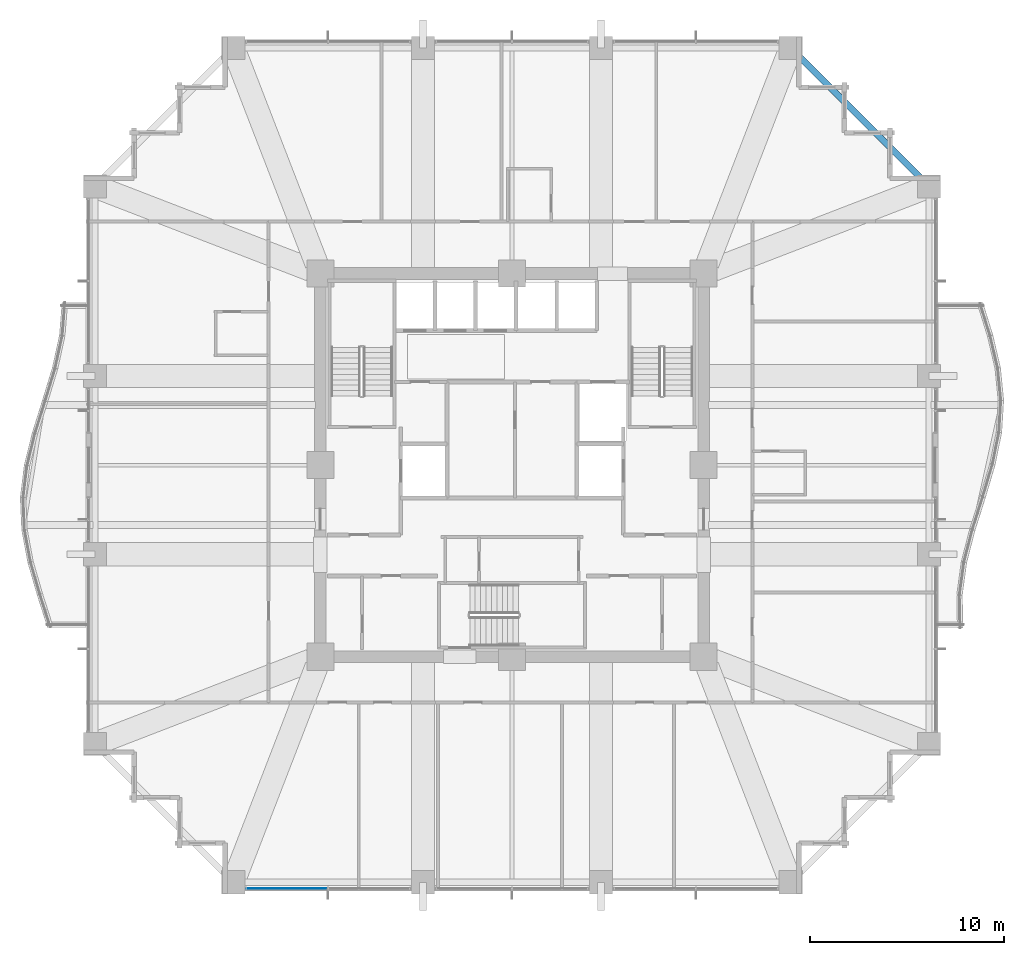
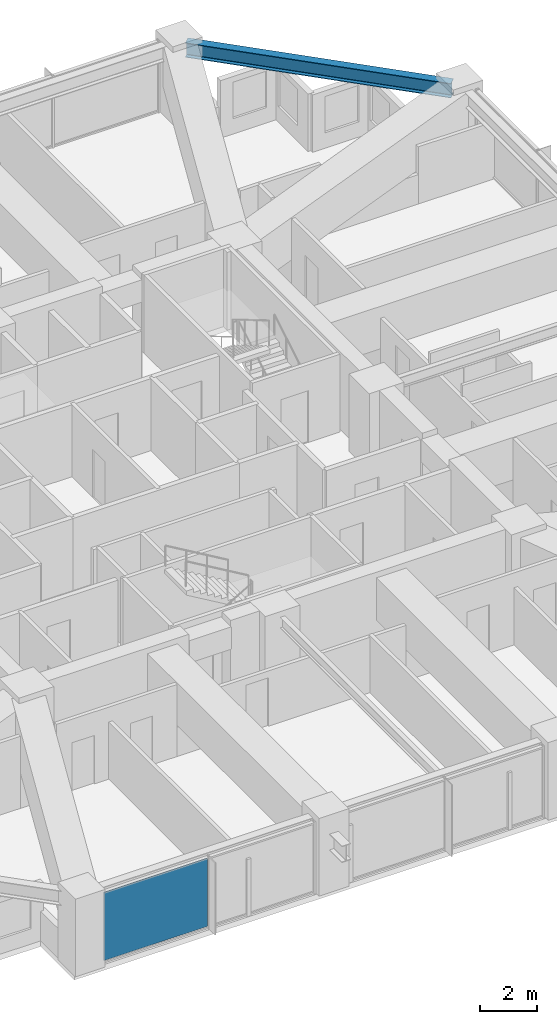
# One storey, part 28 of 39: 1 beam, 1 plate, 1 element without a shape of its own.
"""IFC4 building model written with IfcOpenShell, lengths in metres."""

from ifc_helpers import new_model, si_unit, direction, frame, origin, origin_2d, place, context, subcontext, project, spatial, rectangle, i_section, extrude, material, layer, layer_set, material_profile, profile_set, type_object, element, aggregate, save


model = new_model("IFC4")

# Units and contexts
model_context = context("Model", 3, precision=1e-05, world=origin(), true_north=direction((0.0, 1.0)))
body_context = subcontext(model_context, "Body", "Model", "MODEL_VIEW")
ifc_project = project(units=[si_unit("LENGTHUNIT", "METRE"), si_unit("AREAUNIT", "SQUARE_METRE"), si_unit("VOLUMEUNIT", "CUBIC_METRE"), si_unit("PLANEANGLEUNIT", "RADIAN"), si_unit("MASSUNIT", "GRAM", prefix="KILO")], contexts=[model_context])

# Site, building, storey
site_placement = place(None, origin())
site = spatial("IfcSite", under=ifc_project, at=site_placement, CompositionType="ELEMENT")
building_placement = place(site_placement, origin())
building = spatial("IfcBuilding", under=site, at=building_placement, Name="Kolvaren Belvedere", CompositionType="ELEMENT")
storey_placement = place(building_placement, frame((0.0, 0.0, 40.300048828125)))
storey = spatial("IfcBuildingStorey", under=building, at=storey_placement, Name="L11", CompositionType="ELEMENT", Elevation=40.300048828125)

# Beam
ifc_material_1 = material(Name="Structural steel ASTM A992 Grade 50", Category="steel")
ifc_material_profile = material_profile(ifc_material_1, i_section(OverallWidth=0.324951171875, OverallDepth=0.615966796875, WebThickness=0.013916015625, FlangeThickness=0.021484375, FilletRadius=0.02001953125, at=origin_2d()), Name="W24X117")
ifc_profile_set = profile_set([ifc_material_profile], Name="Structural steel ASTM A992 Grade 50")
beam_type = type_object("IfcBeamType", Name="BM-SPAN-W24X117", PredefinedType="SPANDREL", material=ifc_profile_set)
beam_placement = place(storey_placement, frame((21.359130859375, 14.5908203125, 2.751953125), z_axis=(-0.707106781187, 0.707106781187, 0.0), x_axis=(-0.707106781187, -0.707106781187, 0.0)))
element("IfcBeam", 1, at=beam_placement, inside=storey, type_object=beam_type, Name="L11 Perimeter Spandrel E4-N4", PredefinedType="SPANDREL", context=body_context, shape_type="SweptSolid", body=[
    extrude(i_section(OverallWidth=0.324951171875, OverallDepth=0.615966796875, WebThickness=0.013916015625, FlangeThickness=0.021484375, FilletRadius=0.02001953125, at=origin_2d()), origin(), (0.0, 0.0, 1.0), 9.57177734375),
])

# Curtain wall, plate
ifc_material_2 = material(Name="Anodised pale-metal aluminium AA 6063-T6", Category="aluminium")
curtain_wall_type = type_object("IfcCurtainWallType", Name="CW-Z1-LOW", PredefinedType="NOTDEFINED", material=ifc_material_2)
curtain_wall_placement = place(storey_placement, origin())
curtain_wall = element("IfcCurtainWall", 2, at=curtain_wall_placement, inside=storey, type_object=curtain_wall_type, Name="L11 Unitised Curtain Wall FCW-L11-S-B3", PredefinedType="NOTDEFINED")
ifc_material_3 = material(Name="Low-iron triple insulated glass", Category="glass")
ifc_layer = layer(ifc_material_3, 0.028076171875)
ifc_layer_set = layer_set([ifc_layer], Name="Low-iron triple insulated glass")
plate_type = type_object("IfcPlateType", Name="CW-PNL-VIS28", PredefinedType="CURTAIN_PANEL", material=ifc_layer_set)
plate_placement = place(storey_placement, frame((-11.62255859375, -21.8798828125, 0.080078125), z_axis=(0.0, 0.0, 1.0), x_axis=(-1.0, 0.0, 0.0)))
plate = element("IfcPlate", 3, at=plate_placement, type_object=plate_type, Name="FCW-L11-S-B3 Vision Glazing Panel 2", PredefinedType="CURTAIN_PANEL", context=body_context, shape_type="SweptSolid", body=[
    extrude(rectangle(XDim=4.1650390625, YDim=0.028076171875, at=origin_2d()), origin(), (0.0, 0.0, 1.0), 2.89990234375),
])
aggregate(curtain_wall, [plate])

save(model, "model.ifc")
